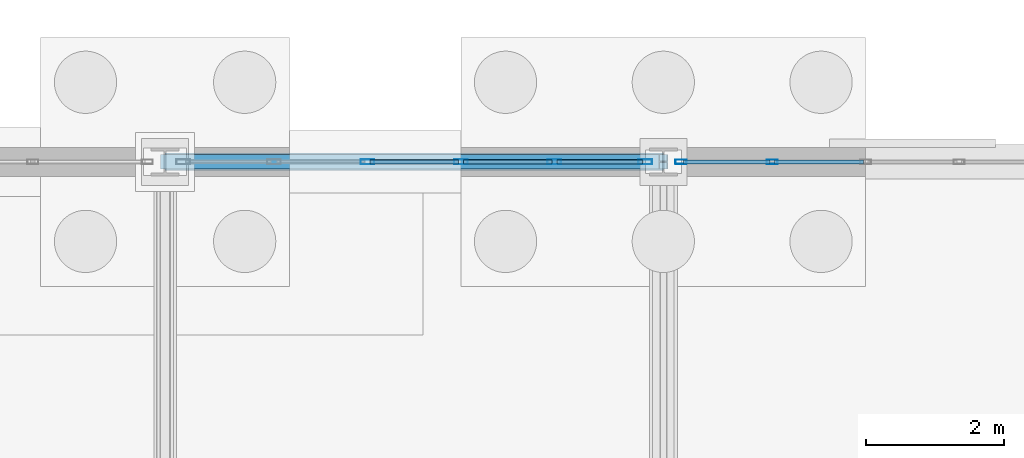
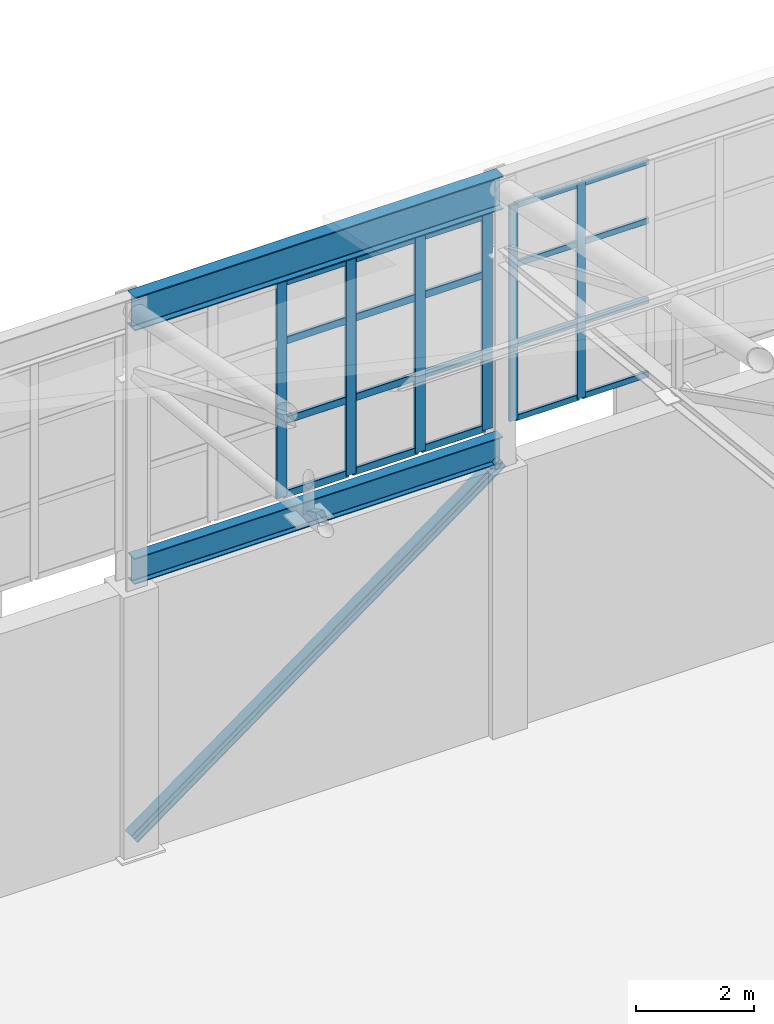
# One storey, part 208 of 293: 27 members, 2 beams, 2 elements without a shape of their own.
"""IFC4 building model written with IfcOpenShell, lengths in metres."""

from ifc_helpers import new_model, si_unit, direction, frame, origin, origin_2d, place, context, subcontext, project, spatial, hollow_rectangle, i_section, extrude, material, layer, layer_set, material_profile, profile_set, type_object, element, aggregate, save


model = new_model("IFC4")

# Units and contexts
model_context = context("Model", 3, precision=1e-05, world=origin(), true_north=direction((0.0, 1.0)))
body_context = subcontext(model_context, "Body", "Model", "MODEL_VIEW")
ifc_project = project(units=[si_unit("LENGTHUNIT", "METRE"), si_unit("AREAUNIT", "SQUARE_METRE"), si_unit("VOLUMEUNIT", "CUBIC_METRE"), si_unit("PLANEANGLEUNIT", "RADIAN"), si_unit("MASSUNIT", "GRAM", prefix="KILO")], contexts=[model_context])

# Site, building, storey
site_placement = place(None, origin())
site = spatial("IfcSite", under=ifc_project, at=site_placement, CompositionType="ELEMENT")
building_placement = place(site_placement, origin())
building = spatial("IfcBuilding", under=site, at=building_placement, Name="Kemerveld Promenade Tramway Depot", CompositionType="ELEMENT")
storey_placement = place(building_placement, origin())
storey = spatial("IfcBuildingStorey", under=building, at=storey_placement, Name="L00", CompositionType="ELEMENT", Elevation=0.0)

# Beams
ifc_material_1 = material(Name="Steel S355", Category="steel")
ifc_material_profile_1 = material_profile(ifc_material_1, i_section(OverallWidth=0.25439453125, OverallDepth=0.6875, WebThickness=0.01318359375, FlangeThickness=0.02099609375, FilletRadius=0.01513671875, at=origin_2d()), Name="686x254x152 UB")
ifc_profile_set_1 = profile_set([ifc_material_profile_1], Name="Steel S355")
beam_type_1 = type_object("IfcBeamType", Name="BM-G03", PredefinedType="BEAM", material=ifc_profile_set_1)
beam_1_placement = place(storey_placement, frame((72.0, 144.0, 11.056396484375), z_axis=(1.0, 0.0, 0.0), x_axis=(0.0, 1.0, 0.0)))
element("IfcBeam", 1, at=beam_1_placement, inside=storey, type_object=beam_type_1, Name="BM-SHED-EAVE-U-11", PredefinedType="BEAM", context=body_context, shape_type="SweptSolid", body=[
    extrude(i_section(OverallWidth=0.25439453125, OverallDepth=0.6875, WebThickness=0.01318359375, FlangeThickness=0.02099609375, FilletRadius=0.01513671875, at=origin_2d()), origin(), (0.0, 0.0, 1.0), 7.199951171875),
])
ifc_material_profile_2 = material_profile(ifc_material_1, i_section(OverallWidth=0.2099609375, OverallDepth=0.53662109375, WebThickness=0.0107421875, FlangeThickness=0.017333984375, FilletRadius=0.0126953125, at=origin_2d()), Name="533x210x101 UB")
ifc_profile_set_2 = profile_set([ifc_material_profile_2], Name="Steel S355")
beam_type_2 = type_object("IfcBeamType", Name="BM-G05", PredefinedType="BEAM", material=ifc_profile_set_2)
beam_2_placement = place(storey_placement, frame((72.0, 144.0, 5.731689453125), z_axis=(1.0, 0.0, 0.0), x_axis=(0.0, 1.0, 0.0)))
element("IfcBeam", 2, at=beam_2_placement, inside=storey, type_object=beam_type_2, Name="BM-SHED-MID-U-11", PredefinedType="BEAM", context=body_context, shape_type="SweptSolid", body=[
    extrude(i_section(OverallWidth=0.2099609375, OverallDepth=0.53662109375, WebThickness=0.0107421875, FlangeThickness=0.017333984375, FilletRadius=0.0126953125, at=origin_2d()), origin(), (0.0, 0.0, 1.0), 7.199951171875),
])

# Curtain wall, members
ifc_material_2 = material(Name="Bronze anodised aluminium and solar glass", Category="aluminium")
ifc_layer_1 = layer(ifc_material_2, 0.159912109375)
ifc_layer_set_1 = layer_set([ifc_layer_1], Name="CW-SYS-07")
curtain_wall_type_1 = type_object("IfcCurtainWallType", Name="CW-SYS-07", PredefinedType="USERDEFINED", material=ifc_layer_set_1)
curtain_wall_1_placement = place(storey_placement, origin())
curtain_wall_1 = element("IfcCurtainWall", 3, at=curtain_wall_1_placement, inside=storey, type_object=curtain_wall_type_1, Name="CW-V1-N-07", ObjectType="GLAZED_CURTAIN_WALL", PredefinedType="USERDEFINED")
ifc_material_3 = material(Name="Bronze anodised aluminium", Category="aluminium")
ifc_material_profile_3 = material_profile(ifc_material_3, hollow_rectangle(XDim=0.06494140625, YDim=0.159912109375, WallThickness=0.00390625, InnerFilletRadius=0.001953125, OuterFilletRadius=0.00390625, at=origin_2d()), Name="CW-MUL-160x65")
ifc_profile_set_3 = profile_set([ifc_material_profile_3], Name="Bronze anodised aluminium")
member_type_1 = type_object("IfcMemberType", Name="CW-MUL-A", PredefinedType="MULLION", material=ifc_profile_set_3)
member_1_placement = place(storey_placement, frame((79.455810546875, 144.0, 6.199951171875), z_axis=(0.0, 0.0, 1.0), x_axis=(0.0, 1.0, 0.0)))
member_1 = element("IfcMember", 4, at=member_1_placement, type_object=member_type_1, Name="CW07 mullion 1", PredefinedType="MULLION", context=body_context, shape_type="SweptSolid", body=[
    extrude(hollow_rectangle(XDim=0.06494140625, YDim=0.159912109375, WallThickness=0.00390625, InnerFilletRadius=0.001953125, OuterFilletRadius=0.00390625, at=origin_2d()), origin(), (0.0, 0.0, 1.0), 4.449951171875),
])
member_2_placement = place(storey_placement, frame((80.77392578125, 144.0, 6.199951171875), z_axis=(0.0, 0.0, 1.0), x_axis=(0.0, 1.0, 0.0)))
member_2 = element("IfcMember", 5, at=member_2_placement, type_object=member_type_1, Name="CW07 mullion 2", PredefinedType="MULLION", context=body_context, shape_type="SweptSolid", body=[
    extrude(hollow_rectangle(XDim=0.06494140625, YDim=0.159912109375, WallThickness=0.00390625, InnerFilletRadius=0.001953125, OuterFilletRadius=0.00390625, at=origin_2d()), origin(), (0.0, 0.0, 1.0), 4.449951171875),
])

ifc_layer_2 = layer(ifc_material_2, 0.199951171875)
ifc_layer_set_2 = layer_set([ifc_layer_2], Name="CW-SYS-06")
curtain_wall_type_2 = type_object("IfcCurtainWallType", Name="CW-SYS-06", PredefinedType="USERDEFINED", material=ifc_layer_set_2)
curtain_wall_2_placement = place(storey_placement, origin())
curtain_wall_2 = element("IfcCurtainWall", 6, at=curtain_wall_2_placement, inside=storey, type_object=curtain_wall_type_2, Name="CW-V1-N-06", ObjectType="GLAZED_CURTAIN_WALL", PredefinedType="USERDEFINED")
ifc_material_profile_4 = material_profile(ifc_material_3, hollow_rectangle(XDim=0.074951171875, YDim=0.199951171875, WallThickness=0.0048828125, InnerFilletRadius=0.001953125, OuterFilletRadius=0.0048828125, at=origin_2d()), Name="CW-MUL-200x75")
ifc_profile_set_4 = profile_set([ifc_material_profile_4], Name="Bronze anodised aluminium")
member_type_2 = type_object("IfcMemberType", Name="CW-MUL-B", PredefinedType="MULLION", material=ifc_profile_set_4)
member_3_placement = place(storey_placement, frame((74.924560546875, 144.0, 6.199951171875), z_axis=(0.0, 0.0, 1.0), x_axis=(0.0, 1.0, 0.0)))
member_3 = element("IfcMember", 7, at=member_3_placement, type_object=member_type_2, Name="CW06 mullion 3", PredefinedType="MULLION", context=body_context, shape_type="SweptSolid", body=[
    extrude(hollow_rectangle(XDim=0.074951171875, YDim=0.199951171875, WallThickness=0.0048828125, InnerFilletRadius=0.001953125, OuterFilletRadius=0.0048828125, at=origin_2d()), origin(), (0.0, 0.0, 1.0), 4.449951171875),
])
member_4_placement = place(storey_placement, frame((76.275390625, 144.0, 6.199951171875), z_axis=(0.0, 0.0, 1.0), x_axis=(0.0, 1.0, 0.0)))
member_4 = element("IfcMember", 8, at=member_4_placement, type_object=member_type_2, Name="CW06 mullion 4", PredefinedType="MULLION", context=body_context, shape_type="SweptSolid", body=[
    extrude(hollow_rectangle(XDim=0.074951171875, YDim=0.199951171875, WallThickness=0.0048828125, InnerFilletRadius=0.001953125, OuterFilletRadius=0.0048828125, at=origin_2d()), origin(), (0.0, 0.0, 1.0), 4.449951171875),
])
member_5_placement = place(storey_placement, frame((77.6259765625, 144.0, 6.199951171875), z_axis=(0.0, 0.0, 1.0), x_axis=(0.0, 1.0, 0.0)))
member_5 = element("IfcMember", 9, at=member_5_placement, type_object=member_type_2, Name="CW06 mullion 5", PredefinedType="MULLION", context=body_context, shape_type="SweptSolid", body=[
    extrude(hollow_rectangle(XDim=0.074951171875, YDim=0.199951171875, WallThickness=0.0048828125, InnerFilletRadius=0.001953125, OuterFilletRadius=0.0048828125, at=origin_2d()), origin(), (0.0, 0.0, 1.0), 4.449951171875),
])
member_6_placement = place(storey_placement, frame((78.939208984375, 144.0, 6.199951171875), z_axis=(0.0, 0.0, 1.0), x_axis=(0.0, 1.0, 0.0)))
member_6 = element("IfcMember", 10, at=member_6_placement, type_object=member_type_2, Name="CW06 mullion 6", PredefinedType="MULLION", context=body_context, shape_type="SweptSolid", body=[
    extrude(hollow_rectangle(XDim=0.074951171875, YDim=0.199951171875, WallThickness=0.0048828125, InnerFilletRadius=0.001953125, OuterFilletRadius=0.0048828125, at=origin_2d()), origin(), (0.0, 0.0, 1.0), 4.449951171875),
])

# Member
ifc_material_profile_5 = material_profile(ifc_material_3, hollow_rectangle(XDim=0.06005859375, YDim=0.1201171875, WallThickness=0.00390625, InnerFilletRadius=0.001953125, OuterFilletRadius=0.00390625, at=origin_2d()), Name="CW-TRN-120x60")
ifc_profile_set_5 = profile_set([ifc_material_profile_5], Name="Bronze anodised aluminium")
member_type_3 = type_object("IfcMemberType", Name="CW-TRN-A", PredefinedType="USERDEFINED", material=ifc_profile_set_5)
member_7_placement = place(storey_placement, frame((79.48828125, 144.0, 6.22998046875), z_axis=(1.0, 0.0, 0.0), x_axis=(0.0, 1.0, 0.0)))
member_7 = element("IfcMember", 11, at=member_7_placement, type_object=member_type_3, Name="CW07 transom 1.1", ObjectType="TRANSOM", PredefinedType="USERDEFINED", context=body_context, shape_type="SweptSolid", body=[
    extrude(hollow_rectangle(XDim=0.06005859375, YDim=0.1201171875, WallThickness=0.00390625, InnerFilletRadius=0.001953125, OuterFilletRadius=0.00390625, at=origin_2d()), origin(), (0.0, 0.0, 1.0), 1.253173828125),
])

member_8_placement = place(storey_placement, frame((79.48828125, 144.0, 7.758056640625), z_axis=(1.0, 0.0, 0.0), x_axis=(0.0, 1.0, 0.0)))
member_8 = element("IfcMember", 12, at=member_8_placement, type_object=member_type_3, Name="CW07 transom 1.2", ObjectType="TRANSOM", PredefinedType="USERDEFINED", context=body_context, shape_type="SweptSolid", body=[
    extrude(hollow_rectangle(XDim=0.06005859375, YDim=0.1201171875, WallThickness=0.00390625, InnerFilletRadius=0.001953125, OuterFilletRadius=0.00390625, at=origin_2d()), origin(), (0.0, 0.0, 1.0), 1.253173828125),
])

member_9_placement = place(storey_placement, frame((79.48828125, 144.0, 9.404052734375), z_axis=(1.0, 0.0, 0.0), x_axis=(0.0, 1.0, 0.0)))
member_9 = element("IfcMember", 13, at=member_9_placement, type_object=member_type_3, Name="CW07 transom 1.3", ObjectType="TRANSOM", PredefinedType="USERDEFINED", context=body_context, shape_type="SweptSolid", body=[
    extrude(hollow_rectangle(XDim=0.06005859375, YDim=0.1201171875, WallThickness=0.00390625, InnerFilletRadius=0.001953125, OuterFilletRadius=0.00390625, at=origin_2d()), origin(), (0.0, 0.0, 1.0), 1.253173828125),
])

member_10_placement = place(storey_placement, frame((79.48828125, 144.0, 10.6201171875), z_axis=(1.0, 0.0, 0.0), x_axis=(0.0, 1.0, 0.0)))
member_10 = element("IfcMember", 14, at=member_10_placement, type_object=member_type_3, Name="CW07 transom 1.4", ObjectType="TRANSOM", PredefinedType="USERDEFINED", context=body_context, shape_type="SweptSolid", body=[
    extrude(hollow_rectangle(XDim=0.06005859375, YDim=0.1201171875, WallThickness=0.00390625, InnerFilletRadius=0.001953125, OuterFilletRadius=0.00390625, at=origin_2d()), origin(), (0.0, 0.0, 1.0), 1.253173828125),
])

member_11_placement = place(storey_placement, frame((80.806396484375, 144.0, 6.22998046875), z_axis=(1.0, 0.0, 0.0), x_axis=(0.0, 1.0, 0.0)))
member_11 = element("IfcMember", 15, at=member_11_placement, type_object=member_type_3, Name="CW07 transom 2.1", ObjectType="TRANSOM", PredefinedType="USERDEFINED", context=body_context, shape_type="SweptSolid", body=[
    extrude(hollow_rectangle(XDim=0.06005859375, YDim=0.1201171875, WallThickness=0.00390625, InnerFilletRadius=0.001953125, OuterFilletRadius=0.00390625, at=origin_2d()), origin(), (0.0, 0.0, 1.0), 1.28564453125),
])

member_12_placement = place(storey_placement, frame((80.806396484375, 144.0, 7.758056640625), z_axis=(1.0, 0.0, 0.0), x_axis=(0.0, 1.0, 0.0)))
member_12 = element("IfcMember", 16, at=member_12_placement, type_object=member_type_3, Name="CW07 transom 2.2", ObjectType="TRANSOM", PredefinedType="USERDEFINED", context=body_context, shape_type="SweptSolid", body=[
    extrude(hollow_rectangle(XDim=0.06005859375, YDim=0.1201171875, WallThickness=0.00390625, InnerFilletRadius=0.001953125, OuterFilletRadius=0.00390625, at=origin_2d()), origin(), (0.0, 0.0, 1.0), 1.28564453125),
])

member_13_placement = place(storey_placement, frame((80.806396484375, 144.0, 9.404052734375), z_axis=(1.0, 0.0, 0.0), x_axis=(0.0, 1.0, 0.0)))
member_13 = element("IfcMember", 17, at=member_13_placement, type_object=member_type_3, Name="CW07 transom 2.3", ObjectType="TRANSOM", PredefinedType="USERDEFINED", context=body_context, shape_type="SweptSolid", body=[
    extrude(hollow_rectangle(XDim=0.06005859375, YDim=0.1201171875, WallThickness=0.00390625, InnerFilletRadius=0.001953125, OuterFilletRadius=0.00390625, at=origin_2d()), origin(), (0.0, 0.0, 1.0), 1.28564453125),
])

member_14_placement = place(storey_placement, frame((80.806396484375, 144.0, 10.6201171875), z_axis=(1.0, 0.0, 0.0), x_axis=(0.0, 1.0, 0.0)))
member_14 = element("IfcMember", 18, at=member_14_placement, type_object=member_type_3, Name="CW07 transom 2.4", ObjectType="TRANSOM", PredefinedType="USERDEFINED", context=body_context, shape_type="SweptSolid", body=[
    extrude(hollow_rectangle(XDim=0.06005859375, YDim=0.1201171875, WallThickness=0.00390625, InnerFilletRadius=0.001953125, OuterFilletRadius=0.00390625, at=origin_2d()), origin(), (0.0, 0.0, 1.0), 1.28564453125),
])

aggregate(curtain_wall_1, [member_1, member_2, member_7, member_8, member_9, member_10, member_11, member_12, member_13, member_14])

ifc_material_profile_6 = material_profile(ifc_material_3, hollow_rectangle(XDim=0.06494140625, YDim=0.14990234375, WallThickness=0.00439453125, InnerFilletRadius=0.001953125, OuterFilletRadius=0.00439453125, at=origin_2d()), Name="CW-TRN-150x65")
ifc_profile_set_6 = profile_set([ifc_material_profile_6], Name="Bronze anodised aluminium")
member_type_4 = type_object("IfcMemberType", Name="CW-TRN-B", PredefinedType="USERDEFINED", material=ifc_profile_set_6)
member_15_placement = place(storey_placement, frame((74.962158203125, 144.0, 6.232421875), z_axis=(1.0, 0.0, 0.0), x_axis=(0.0, 1.0, 0.0)))
member_15 = element("IfcMember", 19, at=member_15_placement, type_object=member_type_4, Name="CW06 transom 3.1", ObjectType="TRANSOM", PredefinedType="USERDEFINED", context=body_context, shape_type="SweptSolid", body=[
    extrude(hollow_rectangle(XDim=0.06494140625, YDim=0.14990234375, WallThickness=0.00439453125, InnerFilletRadius=0.001953125, OuterFilletRadius=0.00439453125, at=origin_2d()), origin(), (0.0, 0.0, 1.0), 1.275634765625),
])

member_16_placement = place(storey_placement, frame((74.962158203125, 144.0, 7.758056640625), z_axis=(1.0, 0.0, 0.0), x_axis=(0.0, 1.0, 0.0)))
member_16 = element("IfcMember", 20, at=member_16_placement, type_object=member_type_4, Name="CW06 transom 3.2", ObjectType="TRANSOM", PredefinedType="USERDEFINED", context=body_context, shape_type="SweptSolid", body=[
    extrude(hollow_rectangle(XDim=0.06494140625, YDim=0.14990234375, WallThickness=0.00439453125, InnerFilletRadius=0.001953125, OuterFilletRadius=0.00439453125, at=origin_2d()), origin(), (0.0, 0.0, 1.0), 1.275634765625),
])

member_17_placement = place(storey_placement, frame((74.962158203125, 144.0, 9.404052734375), z_axis=(1.0, 0.0, 0.0), x_axis=(0.0, 1.0, 0.0)))
member_17 = element("IfcMember", 21, at=member_17_placement, type_object=member_type_4, Name="CW06 transom 3.3", ObjectType="TRANSOM", PredefinedType="USERDEFINED", context=body_context, shape_type="SweptSolid", body=[
    extrude(hollow_rectangle(XDim=0.06494140625, YDim=0.14990234375, WallThickness=0.00439453125, InnerFilletRadius=0.001953125, OuterFilletRadius=0.00439453125, at=origin_2d()), origin(), (0.0, 0.0, 1.0), 1.275634765625),
])

member_18_placement = place(storey_placement, frame((74.962158203125, 144.0, 10.617431640625), z_axis=(1.0, 0.0, 0.0), x_axis=(0.0, 1.0, 0.0)))
member_18 = element("IfcMember", 22, at=member_18_placement, type_object=member_type_4, Name="CW06 transom 3.4", ObjectType="TRANSOM", PredefinedType="USERDEFINED", context=body_context, shape_type="SweptSolid", body=[
    extrude(hollow_rectangle(XDim=0.06494140625, YDim=0.14990234375, WallThickness=0.00439453125, InnerFilletRadius=0.001953125, OuterFilletRadius=0.00439453125, at=origin_2d()), origin(), (0.0, 0.0, 1.0), 1.275634765625),
])

member_19_placement = place(storey_placement, frame((76.312744140625, 144.0, 6.232421875), z_axis=(1.0, 0.0, 0.0), x_axis=(0.0, 1.0, 0.0)))
member_19 = element("IfcMember", 23, at=member_19_placement, type_object=member_type_4, Name="CW06 transom 4.1", ObjectType="TRANSOM", PredefinedType="USERDEFINED", context=body_context, shape_type="SweptSolid", body=[
    extrude(hollow_rectangle(XDim=0.06494140625, YDim=0.14990234375, WallThickness=0.00439453125, InnerFilletRadius=0.001953125, OuterFilletRadius=0.00439453125, at=origin_2d()), origin(), (0.0, 0.0, 1.0), 1.27587890625),
])

member_20_placement = place(storey_placement, frame((76.312744140625, 144.0, 7.758056640625), z_axis=(1.0, 0.0, 0.0), x_axis=(0.0, 1.0, 0.0)))
member_20 = element("IfcMember", 24, at=member_20_placement, type_object=member_type_4, Name="CW06 transom 4.2", ObjectType="TRANSOM", PredefinedType="USERDEFINED", context=body_context, shape_type="SweptSolid", body=[
    extrude(hollow_rectangle(XDim=0.06494140625, YDim=0.14990234375, WallThickness=0.00439453125, InnerFilletRadius=0.001953125, OuterFilletRadius=0.00439453125, at=origin_2d()), origin(), (0.0, 0.0, 1.0), 1.27587890625),
])

member_21_placement = place(storey_placement, frame((76.312744140625, 144.0, 9.404052734375), z_axis=(1.0, 0.0, 0.0), x_axis=(0.0, 1.0, 0.0)))
member_21 = element("IfcMember", 25, at=member_21_placement, type_object=member_type_4, Name="CW06 transom 4.3", ObjectType="TRANSOM", PredefinedType="USERDEFINED", context=body_context, shape_type="SweptSolid", body=[
    extrude(hollow_rectangle(XDim=0.06494140625, YDim=0.14990234375, WallThickness=0.00439453125, InnerFilletRadius=0.001953125, OuterFilletRadius=0.00439453125, at=origin_2d()), origin(), (0.0, 0.0, 1.0), 1.27587890625),
])

member_22_placement = place(storey_placement, frame((76.312744140625, 144.0, 10.617431640625), z_axis=(1.0, 0.0, 0.0), x_axis=(0.0, 1.0, 0.0)))
member_22 = element("IfcMember", 26, at=member_22_placement, type_object=member_type_4, Name="CW06 transom 4.4", ObjectType="TRANSOM", PredefinedType="USERDEFINED", context=body_context, shape_type="SweptSolid", body=[
    extrude(hollow_rectangle(XDim=0.06494140625, YDim=0.14990234375, WallThickness=0.00439453125, InnerFilletRadius=0.001953125, OuterFilletRadius=0.00439453125, at=origin_2d()), origin(), (0.0, 0.0, 1.0), 1.27587890625),
])

member_23_placement = place(storey_placement, frame((77.66357421875, 144.0, 6.232421875), z_axis=(1.0, 0.0, 0.0), x_axis=(0.0, 1.0, 0.0)))
member_23 = element("IfcMember", 27, at=member_23_placement, type_object=member_type_4, Name="CW06 transom 5.1", ObjectType="TRANSOM", PredefinedType="USERDEFINED", context=body_context, shape_type="SweptSolid", body=[
    extrude(hollow_rectangle(XDim=0.06494140625, YDim=0.14990234375, WallThickness=0.00439453125, InnerFilletRadius=0.001953125, OuterFilletRadius=0.00439453125, at=origin_2d()), origin(), (0.0, 0.0, 1.0), 1.23828125),
])

member_24_placement = place(storey_placement, frame((77.66357421875, 144.0, 7.758056640625), z_axis=(1.0, 0.0, 0.0), x_axis=(0.0, 1.0, 0.0)))
member_24 = element("IfcMember", 28, at=member_24_placement, type_object=member_type_4, Name="CW06 transom 5.2", ObjectType="TRANSOM", PredefinedType="USERDEFINED", context=body_context, shape_type="SweptSolid", body=[
    extrude(hollow_rectangle(XDim=0.06494140625, YDim=0.14990234375, WallThickness=0.00439453125, InnerFilletRadius=0.001953125, OuterFilletRadius=0.00439453125, at=origin_2d()), origin(), (0.0, 0.0, 1.0), 1.23828125),
])

member_25_placement = place(storey_placement, frame((77.66357421875, 144.0, 9.404052734375), z_axis=(1.0, 0.0, 0.0), x_axis=(0.0, 1.0, 0.0)))
member_25 = element("IfcMember", 29, at=member_25_placement, type_object=member_type_4, Name="CW06 transom 5.3", ObjectType="TRANSOM", PredefinedType="USERDEFINED", context=body_context, shape_type="SweptSolid", body=[
    extrude(hollow_rectangle(XDim=0.06494140625, YDim=0.14990234375, WallThickness=0.00439453125, InnerFilletRadius=0.001953125, OuterFilletRadius=0.00439453125, at=origin_2d()), origin(), (0.0, 0.0, 1.0), 1.23828125),
])

member_26_placement = place(storey_placement, frame((77.66357421875, 144.0, 10.617431640625), z_axis=(1.0, 0.0, 0.0), x_axis=(0.0, 1.0, 0.0)))
member_26 = element("IfcMember", 30, at=member_26_placement, type_object=member_type_4, Name="CW06 transom 5.4", ObjectType="TRANSOM", PredefinedType="USERDEFINED", context=body_context, shape_type="SweptSolid", body=[
    extrude(hollow_rectangle(XDim=0.06494140625, YDim=0.14990234375, WallThickness=0.00439453125, InnerFilletRadius=0.001953125, OuterFilletRadius=0.00439453125, at=origin_2d()), origin(), (0.0, 0.0, 1.0), 1.23828125),
])

aggregate(curtain_wall_2, [member_3, member_4, member_5, member_6, member_15, member_16, member_17, member_18, member_19, member_20, member_21, member_22, member_23, member_24, member_25, member_26])

ifc_material_profile_7 = material_profile(ifc_material_1, i_section(OverallWidth=0.208984375, OverallDepth=0.22216796875, WebThickness=0.0126953125, FlangeThickness=0.0205078125, FilletRadius=0.01025390625, at=origin_2d()), Name="203x203x86 UC")
ifc_profile_set_7 = profile_set([ifc_material_profile_7], Name="Steel S355")
member_type_5 = type_object("IfcMemberType", Name="MB-TB5", PredefinedType="BRACE", material=ifc_profile_set_7)
member_27_placement = place(storey_placement, frame((72.0, 144.0, 0.199951171875), z_axis=(0.807288292304, 0.0, 0.590157278281), x_axis=(0.0, 1.0, 0.0)))
element("IfcMember", 31, at=member_27_placement, inside=storey, type_object=member_type_5, Name="BR-SHED-WALL-U-11-A", PredefinedType="BRACE", context=body_context, shape_type="SweptSolid", body=[
    extrude(i_section(OverallWidth=0.208984375, OverallDepth=0.22216796875, WebThickness=0.0126953125, FlangeThickness=0.0205078125, FilletRadius=0.01025390625, at=origin_2d()), origin(), (0.0, 0.0, 1.0), 8.918701171875),
])

save(model, "model.ifc")
